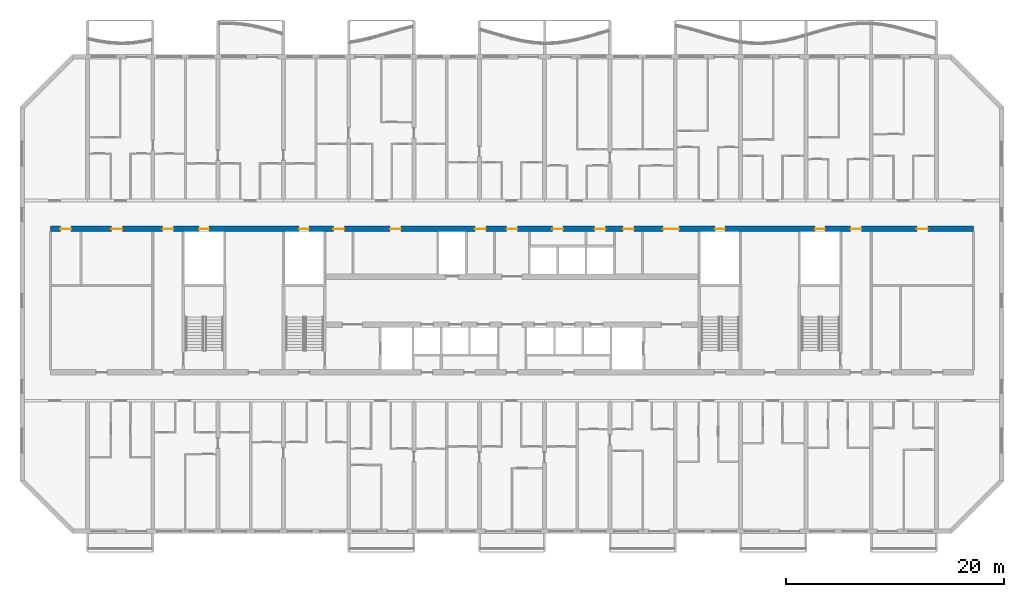
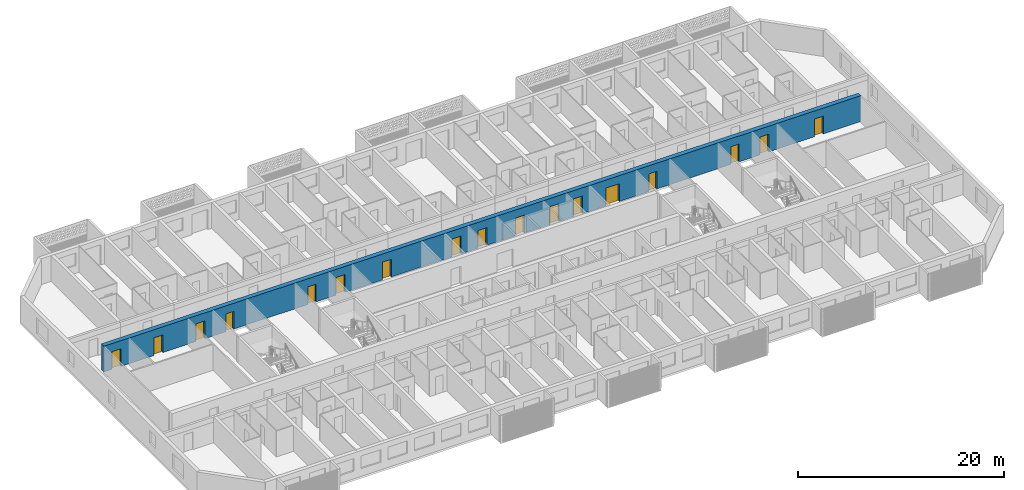
# One storey, part 8 of 26: 17 doors, 1 wall, 17 openings.
"""IFC4 building model written with IfcOpenShell, lengths in metres."""

from ifc_helpers import new_model, si_unit, direction, frame, frame_2d, origin, place, context, subcontext, project, spatial, rectangle, extrude, material, layer, layer_set, type_object, element, fill, save


model = new_model("IFC4")

# Units and contexts
model_context = context("Model", 3, precision=1e-05, world=origin(), true_north=direction((0.0, 1.0)))
body_context = subcontext(model_context, "Body", "Model", "MODEL_VIEW")
ifc_project = project(units=[si_unit("LENGTHUNIT", "METRE"), si_unit("AREAUNIT", "SQUARE_METRE"), si_unit("VOLUMEUNIT", "CUBIC_METRE"), si_unit("PLANEANGLEUNIT", "RADIAN"), si_unit("MASSUNIT", "GRAM", prefix="KILO")], contexts=[model_context])

# Site, building, storey
site_placement = place(None, origin())
site = spatial("IfcSite", under=ifc_project, at=site_placement, CompositionType="ELEMENT")
building_placement = place(site_placement, origin())
building = spatial("IfcBuilding", under=site, at=building_placement, Name="Poui Terraces", CompositionType="ELEMENT")
storey_placement = place(building_placement, frame((0.0, 0.0, 96.0)))
storey = spatial("IfcBuildingStorey", under=building, at=storey_placement, Name="L26", CompositionType="ELEMENT", Elevation=96.0)

# Wall, openings, doors
ifc_material_1 = material(Name="Concrete 65 MPa", Category="concrete")
ifc_layer = layer(ifc_material_1, 0.5)
ifc_layer_set = layer_set([ifc_layer], Name="Concrete 65 MPa")
wall_type = type_object("IfcWallType", Name="SPINE WALL 500 65 MPA", PredefinedType="SOLIDWALL", material=ifc_layer_set)
wall_placement = place(storey_placement, frame((8.60009765625, 27.800048828125, 0.0), z_axis=(0.0, 0.0, 1.0), x_axis=(1.0, 0.0, 0.0)))
wall = element("IfcWall", 1, at=wall_placement, inside=storey, type_object=wall_type, Name="SPINE WALL", PredefinedType="SOLIDWALL", context=body_context, shape_type="SweptSolid", body=[
    extrude(rectangle(XDim=84.7998046875, YDim=0.5, at=frame_2d((42.39990234375, 0.0))), origin(), (0.0, 0.0, 1.0), 3.06005859375),
])
opening_1_placement = place(wall_placement, frame((0.89990234375, 0.0, 0.0)))
opening_1 = element("IfcOpeningElement", 2, at=opening_1_placement, cuts=wall, Name="Opening FD60", PredefinedType="OPENING", context=body_context, shape_type="SweptSolid", body=[
    extrude(rectangle(XDim=1.0, YDim=2.10009765625, at=frame_2d((0.5, 1.050048828125))), frame((0.0, 0.260009765625, 0.0), z_axis=(0.0, -1.0, 0.0), x_axis=(1.0, 0.0, 0.0)), (0.0, 0.0, 1.0), 0.52001953125),
])
opening_2_placement = place(wall_placement, frame((5.60009765625, 0.0, 0.0)))
opening_2 = element("IfcOpeningElement", 3, at=opening_2_placement, cuts=wall, Name="Opening FD60", PredefinedType="OPENING", context=body_context, shape_type="SweptSolid", body=[
    extrude(rectangle(XDim=1.0, YDim=2.10009765625, at=frame_2d((0.5, 1.050048828125))), frame((0.0, 0.260009765625, 0.0), z_axis=(0.0, -1.0, 0.0), x_axis=(1.0, 0.0, 0.0)), (0.0, 0.0, 1.0), 0.52001953125),
])
opening_3_placement = place(wall_placement, frame((10.300048828125, 0.0, 0.0)))
opening_3 = element("IfcOpeningElement", 4, at=opening_3_placement, cuts=wall, Name="Opening FDL", PredefinedType="OPENING", context=body_context, shape_type="SweptSolid", body=[
    extrude(rectangle(XDim=1.0, YDim=2.10009765625, at=frame_2d((0.5, 1.050048828125))), frame((0.0, 0.260009765625, 0.0), z_axis=(0.0, -1.0, 0.0), x_axis=(1.0, 0.0, 0.0)), (0.0, 0.0, 1.0), 0.52001953125),
])
opening_4_placement = place(wall_placement, frame((13.64990234375, 0.0, 0.0)))
opening_4 = element("IfcOpeningElement", 5, at=opening_4_placement, cuts=wall, Name="Opening FDR", PredefinedType="OPENING", context=body_context, shape_type="SweptSolid", body=[
    extrude(rectangle(XDim=0.89990234375, YDim=2.10009765625, at=frame_2d((0.449951171875, 1.050048828125))), frame((0.0, 0.260009765625, 0.0), z_axis=(0.0, -1.0, 0.0), x_axis=(1.0, 0.0, 0.0)), (0.0, 0.0, 1.0), 0.52001953125),
])
opening_5_placement = place(wall_placement, frame((22.85009765625, 0.0, 0.0)))
opening_5 = element("IfcOpeningElement", 6, at=opening_5_placement, cuts=wall, Name="Opening FDR", PredefinedType="OPENING", context=body_context, shape_type="SweptSolid", body=[
    extrude(rectangle(XDim=0.89990234375, YDim=2.10009765625, at=frame_2d((0.449951171875, 1.050048828125))), frame((0.0, 0.260009765625, 0.0), z_axis=(0.0, -1.0, 0.0), x_axis=(1.0, 0.0, 0.0)), (0.0, 0.0, 1.0), 0.52001953125),
])
opening_6_placement = place(wall_placement, frame((26.0, 0.0, 0.0)))
opening_6 = element("IfcOpeningElement", 7, at=opening_6_placement, cuts=wall, Name="Opening FD60", PredefinedType="OPENING", context=body_context, shape_type="SweptSolid", body=[
    extrude(rectangle(XDim=1.0, YDim=2.10009765625, at=frame_2d((0.5, 1.050048828125))), frame((0.0, 0.260009765625, 0.0), z_axis=(0.0, -1.0, 0.0), x_axis=(1.0, 0.0, 0.0)), (0.0, 0.0, 1.0), 0.52001953125),
])
opening_7_placement = place(wall_placement, frame((31.199951171875, 0.0, 0.0)))
opening_7 = element("IfcOpeningElement", 8, at=opening_7_placement, cuts=wall, Name="Opening FD60", PredefinedType="OPENING", context=body_context, shape_type="SweptSolid", body=[
    extrude(rectangle(XDim=1.0, YDim=2.10009765625, at=frame_2d((0.5, 1.050048828125))), frame((0.0, 0.260009765625, 0.0), z_axis=(0.0, -1.0, 0.0), x_axis=(1.0, 0.0, 0.0)), (0.0, 0.0, 1.0), 0.52001953125),
])
opening_8_placement = place(wall_placement, frame((39.0, 0.0, 0.0)))
opening_8 = element("IfcOpeningElement", 9, at=opening_8_placement, cuts=wall, Name="Opening FD60", PredefinedType="OPENING", context=body_context, shape_type="SweptSolid", body=[
    extrude(rectangle(XDim=1.0, YDim=2.10009765625, at=frame_2d((0.5, 1.050048828125))), frame((0.0, 0.260009765625, 0.0), z_axis=(0.0, -1.0, 0.0), x_axis=(1.0, 0.0, 0.0)), (0.0, 0.0, 1.0), 0.52001953125),
])
opening_9_placement = place(wall_placement, frame((41.89990234375, 0.0, 0.0)))
opening_9 = element("IfcOpeningElement", 10, at=opening_9_placement, cuts=wall, Name="Opening FDL", PredefinedType="OPENING", context=body_context, shape_type="SweptSolid", body=[
    extrude(rectangle(XDim=1.0, YDim=2.10009765625, at=frame_2d((0.5, 1.050048828125))), frame((0.0, 0.260009765625, 0.0), z_axis=(0.0, -1.0, 0.0), x_axis=(1.0, 0.0, 0.0)), (0.0, 0.0, 1.0), 0.52001953125),
])
opening_10_placement = place(wall_placement, frame((46.10009765625, 0.0, 0.0)))
opening_10 = element("IfcOpeningElement", 11, at=opening_10_placement, cuts=wall, Name="Opening FD60", PredefinedType="OPENING", context=body_context, shape_type="SweptSolid", body=[
    extrude(rectangle(XDim=1.0, YDim=2.10009765625, at=frame_2d((0.5, 1.050048828125))), frame((0.0, 0.260009765625, 0.0), z_axis=(0.0, -1.0, 0.0), x_axis=(1.0, 0.0, 0.0)), (0.0, 0.0, 1.0), 0.52001953125),
])
opening_11_placement = place(wall_placement, frame((50.0, 0.0, 0.0)))
opening_11 = element("IfcOpeningElement", 12, at=opening_11_placement, cuts=wall, Name="Opening FD60", PredefinedType="OPENING", context=body_context, shape_type="SweptSolid", body=[
    extrude(rectangle(XDim=1.0, YDim=2.10009765625, at=frame_2d((0.5, 1.050048828125))), frame((0.0, 0.260009765625, 0.0), z_axis=(0.0, -1.0, 0.0), x_axis=(1.0, 0.0, 0.0)), (0.0, 0.0, 1.0), 0.52001953125),
])
opening_12_placement = place(wall_placement, frame((52.60009765625, 0.0, 0.0)))
opening_12 = element("IfcOpeningElement", 13, at=opening_12_placement, cuts=wall, Name="Opening FD60", PredefinedType="OPENING", context=body_context, shape_type="SweptSolid", body=[
    extrude(rectangle(XDim=1.0, YDim=2.10009765625, at=frame_2d((0.5, 1.050048828125))), frame((0.0, 0.260009765625, 0.0), z_axis=(0.0, -1.0, 0.0), x_axis=(1.0, 0.0, 0.0)), (0.0, 0.0, 1.0), 0.52001953125),
])
opening_13_placement = place(wall_placement, frame((56.25, 0.0, 0.0)))
opening_13 = element("IfcOpeningElement", 14, at=opening_13_placement, cuts=wall, Name="Opening FDP", PredefinedType="OPENING", context=body_context, shape_type="SweptSolid", body=[
    extrude(rectangle(XDim=1.5, YDim=2.10009765625, at=frame_2d((0.75, 1.050048828125))), frame((0.0, 0.260009765625, 0.0), z_axis=(0.0, -1.0, 0.0), x_axis=(1.0, 0.0, 0.0)), (0.0, 0.0, 1.0), 0.52001953125),
])
opening_14_placement = place(wall_placement, frame((61.050048828125, 0.0, 0.0)))
opening_14 = element("IfcOpeningElement", 15, at=opening_14_placement, cuts=wall, Name="Opening FDR", PredefinedType="OPENING", context=body_context, shape_type="SweptSolid", body=[
    extrude(rectangle(XDim=0.89990234375, YDim=2.10009765625, at=frame_2d((0.449951171875, 1.050048828125))), frame((0.0, 0.260009765625, 0.0), z_axis=(0.0, -1.0, 0.0), x_axis=(1.0, 0.0, 0.0)), (0.0, 0.0, 1.0), 0.52001953125),
])
opening_15_placement = place(wall_placement, frame((70.25, 0.0, 0.0)))
opening_15 = element("IfcOpeningElement", 16, at=opening_15_placement, cuts=wall, Name="Opening FDR", PredefinedType="OPENING", context=body_context, shape_type="SweptSolid", body=[
    extrude(rectangle(XDim=0.89990234375, YDim=2.10009765625, at=frame_2d((0.449951171875, 1.050048828125))), frame((0.0, 0.260009765625, 0.0), z_axis=(0.0, -1.0, 0.0), x_axis=(1.0, 0.0, 0.0)), (0.0, 0.0, 1.0), 0.52001953125),
])
opening_16_placement = place(wall_placement, frame((73.5, 0.0, 0.0)))
opening_16 = element("IfcOpeningElement", 17, at=opening_16_placement, cuts=wall, Name="Opening FDL", PredefinedType="OPENING", context=body_context, shape_type="SweptSolid", body=[
    extrude(rectangle(XDim=1.0, YDim=2.10009765625, at=frame_2d((0.5, 1.050048828125))), frame((0.0, 0.260009765625, 0.0), z_axis=(0.0, -1.0, 0.0), x_axis=(1.0, 0.0, 0.0)), (0.0, 0.0, 1.0), 0.52001953125),
])
opening_17_placement = place(wall_placement, frame((79.60009765625, 0.0, 0.0)))
opening_17 = element("IfcOpeningElement", 18, at=opening_17_placement, cuts=wall, Name="Opening D100", PredefinedType="OPENING", context=body_context, shape_type="SweptSolid", body=[
    extrude(rectangle(XDim=1.0, YDim=2.10009765625, at=frame_2d((0.5, 1.050048828125))), frame((0.0, 0.260009765625, 0.0), z_axis=(0.0, -1.0, 0.0), x_axis=(1.0, 0.0, 0.0)), (0.0, 0.0, 1.0), 0.52001953125),
])
ifc_material_2 = material(Name="Solid core timber door", Category="wood")
door_type_1 = type_object("IfcDoorType", Name="ACCESSIBLE INTERNAL DOOR 1000 X 2100", OperationType="NOTDEFINED", PredefinedType="DOOR", material=ifc_material_2)
door_1_placement = place(opening_17_placement, origin())
door_1 = element("IfcDoor", 19, at=door_1_placement, inside=storey, type_object=door_type_1, Name="ACCESSIBLE INTERNAL DOOR 017", OperationType="SINGLE_SWING_RIGHT", OverallHeight=2.10009765625, OverallWidth=1.0, PredefinedType="DOOR", context=body_context, shape_type="SweptSolid", body=[
    extrude(rectangle(XDim=1.0, YDim=2.10009765625, at=frame_2d((0.5, 1.050048828125))), frame((0.0, 0.02490234375, 0.0), z_axis=(0.0, -1.0, 0.0), x_axis=(1.0, 0.0, 0.0)), (0.0, 0.0, 1.0), 0.050048828125),
])
fill(opening_17, door_1)
ifc_material_3 = material(Name="Steel fire door", Category="steel")
door_type_2 = type_object("IfcDoorType", Name="LOBBY FIRE DOOR 1000 X 2100", OperationType="NOTDEFINED", PredefinedType="DOOR", material=ifc_material_3)
door_2_placement = place(opening_3_placement, origin())
door_2 = element("IfcDoor", 20, at=door_2_placement, inside=storey, type_object=door_type_2, Name="LOBBY FIRE DOOR 003", OperationType="SINGLE_SWING_LEFT", OverallHeight=2.10009765625, OverallWidth=1.0, PredefinedType="DOOR", context=body_context, shape_type="SweptSolid", body=[
    extrude(rectangle(XDim=1.0, YDim=2.10009765625, at=frame_2d((0.5, 1.050048828125))), frame((0.0, 0.02490234375, 0.0), z_axis=(0.0, -1.0, 0.0), x_axis=(1.0, 0.0, 0.0)), (0.0, 0.0, 1.0), 0.050048828125),
])
fill(opening_3, door_2)
door_3_placement = place(opening_9_placement, origin())
door_3 = element("IfcDoor", 21, at=door_3_placement, inside=storey, type_object=door_type_2, Name="LOBBY FIRE DOOR 009", OperationType="SINGLE_SWING_RIGHT", OverallHeight=2.10009765625, OverallWidth=1.0, PredefinedType="DOOR", context=body_context, shape_type="SweptSolid", body=[
    extrude(rectangle(XDim=1.0, YDim=2.10009765625, at=frame_2d((0.5, 1.050048828125))), frame((0.0, 0.02490234375, 0.0), z_axis=(0.0, -1.0, 0.0), x_axis=(1.0, 0.0, 0.0)), (0.0, 0.0, 1.0), 0.050048828125),
])
fill(opening_9, door_3)
door_4_placement = place(opening_16_placement, origin())
door_4 = element("IfcDoor", 22, at=door_4_placement, inside=storey, type_object=door_type_2, Name="LOBBY FIRE DOOR 016", OperationType="SINGLE_SWING_RIGHT", OverallHeight=2.10009765625, OverallWidth=1.0, PredefinedType="DOOR", context=body_context, shape_type="SweptSolid", body=[
    extrude(rectangle(XDim=1.0, YDim=2.10009765625, at=frame_2d((0.5, 1.050048828125))), frame((0.0, 0.02490234375, 0.0), z_axis=(0.0, -1.0, 0.0), x_axis=(1.0, 0.0, 0.0)), (0.0, 0.0, 1.0), 0.050048828125),
])
fill(opening_16, door_4)
door_type_3 = type_object("IfcDoorType", Name="PLANT ROOM DOOR PAIR 1500 X 2100", OperationType="DOUBLE_DOOR_SINGLE_SWING", PredefinedType="DOOR", material=ifc_material_3)
door_5_placement = place(opening_13_placement, origin())
door_5 = element("IfcDoor", 23, at=door_5_placement, inside=storey, type_object=door_type_3, Name="PLANT ROOM DOOR PAIR 013", OperationType="DOUBLE_DOOR_SINGLE_SWING", OverallHeight=2.10009765625, OverallWidth=1.5, PredefinedType="DOOR", context=body_context, shape_type="SweptSolid", body=[
    extrude(rectangle(XDim=1.5, YDim=2.10009765625, at=frame_2d((0.75, 1.050048828125))), frame((0.0, 0.02490234375, 0.0), z_axis=(0.0, -1.0, 0.0), x_axis=(1.0, 0.0, 0.0)), (0.0, 0.0, 1.0), 0.050048828125),
])
fill(opening_13, door_5)
door_type_4 = type_object("IfcDoorType", Name="RISER CUPBOARD DOOR 900 X 2100", OperationType="NOTDEFINED", PredefinedType="DOOR", material=ifc_material_3)
door_6_placement = place(opening_4_placement, origin())
door_6 = element("IfcDoor", 24, at=door_6_placement, inside=storey, type_object=door_type_4, Name="RISER CUPBOARD DOOR 004", OperationType="SINGLE_SWING_LEFT", OverallHeight=2.10009765625, OverallWidth=0.89990234375, PredefinedType="DOOR", context=body_context, shape_type="SweptSolid", body=[
    extrude(rectangle(XDim=0.89990234375, YDim=2.10009765625, at=frame_2d((0.449951171875, 1.050048828125))), frame((0.0, 0.02490234375, 0.0), z_axis=(0.0, -1.0, 0.0), x_axis=(1.0, 0.0, 0.0)), (0.0, 0.0, 1.0), 0.050048828125),
])
fill(opening_4, door_6)
door_7_placement = place(opening_5_placement, origin())
door_7 = element("IfcDoor", 25, at=door_7_placement, inside=storey, type_object=door_type_4, Name="RISER CUPBOARD DOOR 005", OperationType="SINGLE_SWING_LEFT", OverallHeight=2.10009765625, OverallWidth=0.89990234375, PredefinedType="DOOR", context=body_context, shape_type="SweptSolid", body=[
    extrude(rectangle(XDim=0.89990234375, YDim=2.10009765625, at=frame_2d((0.449951171875, 1.050048828125))), frame((0.0, 0.02490234375, 0.0), z_axis=(0.0, -1.0, 0.0), x_axis=(1.0, 0.0, 0.0)), (0.0, 0.0, 1.0), 0.050048828125),
])
fill(opening_5, door_7)
door_8_placement = place(opening_14_placement, origin())
door_8 = element("IfcDoor", 26, at=door_8_placement, inside=storey, type_object=door_type_4, Name="RISER CUPBOARD DOOR 014", OperationType="SINGLE_SWING_RIGHT", OverallHeight=2.10009765625, OverallWidth=0.89990234375, PredefinedType="DOOR", context=body_context, shape_type="SweptSolid", body=[
    extrude(rectangle(XDim=0.89990234375, YDim=2.10009765625, at=frame_2d((0.449951171875, 1.050048828125))), frame((0.0, 0.02490234375, 0.0), z_axis=(0.0, -1.0, 0.0), x_axis=(1.0, 0.0, 0.0)), (0.0, 0.0, 1.0), 0.050048828125),
])
fill(opening_14, door_8)
door_9_placement = place(opening_15_placement, origin())
door_9 = element("IfcDoor", 27, at=door_9_placement, inside=storey, type_object=door_type_4, Name="RISER CUPBOARD DOOR 015", OperationType="SINGLE_SWING_RIGHT", OverallHeight=2.10009765625, OverallWidth=0.89990234375, PredefinedType="DOOR", context=body_context, shape_type="SweptSolid", body=[
    extrude(rectangle(XDim=0.89990234375, YDim=2.10009765625, at=frame_2d((0.449951171875, 1.050048828125))), frame((0.0, 0.02490234375, 0.0), z_axis=(0.0, -1.0, 0.0), x_axis=(1.0, 0.0, 0.0)), (0.0, 0.0, 1.0), 0.050048828125),
])
fill(opening_15, door_9)
door_type_5 = type_object("IfcDoorType", Name="SERVICE ROOM FIRE DOOR 1000 X 2100", OperationType="NOTDEFINED", PredefinedType="DOOR", material=ifc_material_3)
door_10_placement = place(opening_1_placement, origin())
door_10 = element("IfcDoor", 28, at=door_10_placement, inside=storey, type_object=door_type_5, Name="SERVICE ROOM FIRE DOOR 001", OperationType="SINGLE_SWING_RIGHT", OverallHeight=2.10009765625, OverallWidth=1.0, PredefinedType="DOOR", context=body_context, shape_type="SweptSolid", body=[
    extrude(rectangle(XDim=1.0, YDim=2.10009765625, at=frame_2d((0.5, 1.050048828125))), frame((0.0, 0.02490234375, 0.0), z_axis=(0.0, -1.0, 0.0), x_axis=(1.0, 0.0, 0.0)), (0.0, 0.0, 1.0), 0.050048828125),
])
fill(opening_1, door_10)
door_11_placement = place(opening_2_placement, origin())
door_11 = element("IfcDoor", 29, at=door_11_placement, inside=storey, type_object=door_type_5, Name="SERVICE ROOM FIRE DOOR 002", OperationType="SINGLE_SWING_LEFT", OverallHeight=2.10009765625, OverallWidth=1.0, PredefinedType="DOOR", context=body_context, shape_type="SweptSolid", body=[
    extrude(rectangle(XDim=1.0, YDim=2.10009765625, at=frame_2d((0.5, 1.050048828125))), frame((0.0, 0.02490234375, 0.0), z_axis=(0.0, -1.0, 0.0), x_axis=(1.0, 0.0, 0.0)), (0.0, 0.0, 1.0), 0.050048828125),
])
fill(opening_2, door_11)
door_12_placement = place(opening_6_placement, origin())
door_12 = element("IfcDoor", 30, at=door_12_placement, inside=storey, type_object=door_type_5, Name="SERVICE ROOM FIRE DOOR 006", OperationType="SINGLE_SWING_RIGHT", OverallHeight=2.10009765625, OverallWidth=1.0, PredefinedType="DOOR", context=body_context, shape_type="SweptSolid", body=[
    extrude(rectangle(XDim=1.0, YDim=2.10009765625, at=frame_2d((0.5, 1.050048828125))), frame((0.0, 0.02490234375, 0.0), z_axis=(0.0, -1.0, 0.0), x_axis=(1.0, 0.0, 0.0)), (0.0, 0.0, 1.0), 0.050048828125),
])
fill(opening_6, door_12)
door_13_placement = place(opening_7_placement, origin())
door_13 = element("IfcDoor", 31, at=door_13_placement, inside=storey, type_object=door_type_5, Name="SERVICE ROOM FIRE DOOR 007", OperationType="SINGLE_SWING_LEFT", OverallHeight=2.10009765625, OverallWidth=1.0, PredefinedType="DOOR", context=body_context, shape_type="SweptSolid", body=[
    extrude(rectangle(XDim=1.0, YDim=2.10009765625, at=frame_2d((0.5, 1.050048828125))), frame((0.0, 0.02490234375, 0.0), z_axis=(0.0, -1.0, 0.0), x_axis=(1.0, 0.0, 0.0)), (0.0, 0.0, 1.0), 0.050048828125),
])
fill(opening_7, door_13)
door_14_placement = place(opening_8_placement, origin())
door_14 = element("IfcDoor", 32, at=door_14_placement, inside=storey, type_object=door_type_5, Name="SERVICE ROOM FIRE DOOR 008", OperationType="SINGLE_SWING_RIGHT", OverallHeight=2.10009765625, OverallWidth=1.0, PredefinedType="DOOR", context=body_context, shape_type="SweptSolid", body=[
    extrude(rectangle(XDim=1.0, YDim=2.10009765625, at=frame_2d((0.5, 1.050048828125))), frame((0.0, 0.02490234375, 0.0), z_axis=(0.0, -1.0, 0.0), x_axis=(1.0, 0.0, 0.0)), (0.0, 0.0, 1.0), 0.050048828125),
])
fill(opening_8, door_14)
door_15_placement = place(opening_10_placement, origin())
door_15 = element("IfcDoor", 33, at=door_15_placement, inside=storey, type_object=door_type_5, Name="SERVICE ROOM FIRE DOOR 010", OperationType="SINGLE_SWING_LEFT", OverallHeight=2.10009765625, OverallWidth=1.0, PredefinedType="DOOR", context=body_context, shape_type="SweptSolid", body=[
    extrude(rectangle(XDim=1.0, YDim=2.10009765625, at=frame_2d((0.5, 1.050048828125))), frame((0.0, 0.02490234375, 0.0), z_axis=(0.0, -1.0, 0.0), x_axis=(1.0, 0.0, 0.0)), (0.0, 0.0, 1.0), 0.050048828125),
])
fill(opening_10, door_15)
door_16_placement = place(opening_11_placement, origin())
door_16 = element("IfcDoor", 34, at=door_16_placement, inside=storey, type_object=door_type_5, Name="SERVICE ROOM FIRE DOOR 011", OperationType="SINGLE_SWING_RIGHT", OverallHeight=2.10009765625, OverallWidth=1.0, PredefinedType="DOOR", context=body_context, shape_type="SweptSolid", body=[
    extrude(rectangle(XDim=1.0, YDim=2.10009765625, at=frame_2d((0.5, 1.050048828125))), frame((0.0, 0.02490234375, 0.0), z_axis=(0.0, -1.0, 0.0), x_axis=(1.0, 0.0, 0.0)), (0.0, 0.0, 1.0), 0.050048828125),
])
fill(opening_11, door_16)
door_17_placement = place(opening_12_placement, origin())
door_17 = element("IfcDoor", 35, at=door_17_placement, inside=storey, type_object=door_type_5, Name="SERVICE ROOM FIRE DOOR 012", OperationType="SINGLE_SWING_LEFT", OverallHeight=2.10009765625, OverallWidth=1.0, PredefinedType="DOOR", context=body_context, shape_type="SweptSolid", body=[
    extrude(rectangle(XDim=1.0, YDim=2.10009765625, at=frame_2d((0.5, 1.050048828125))), frame((0.0, 0.02490234375, 0.0), z_axis=(0.0, -1.0, 0.0), x_axis=(1.0, 0.0, 0.0)), (0.0, 0.0, 1.0), 0.050048828125),
])
fill(opening_12, door_17)

save(model, "model.ifc")
